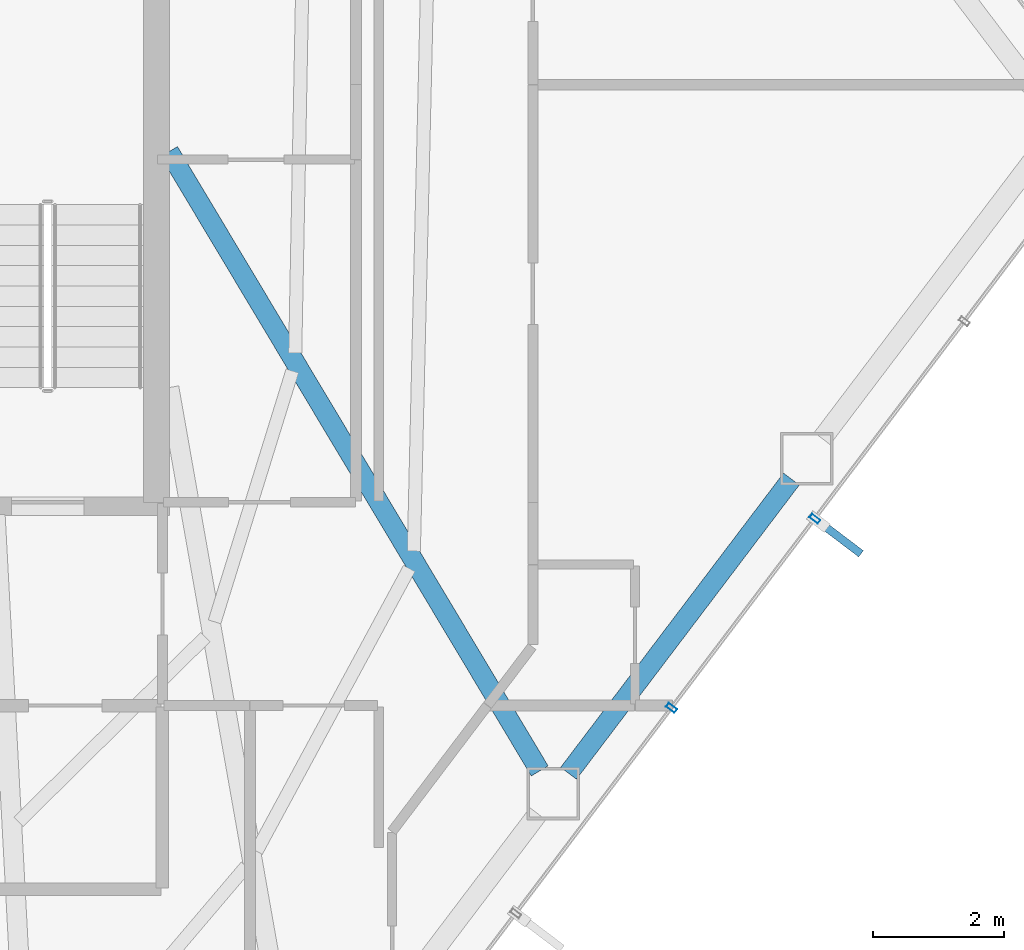
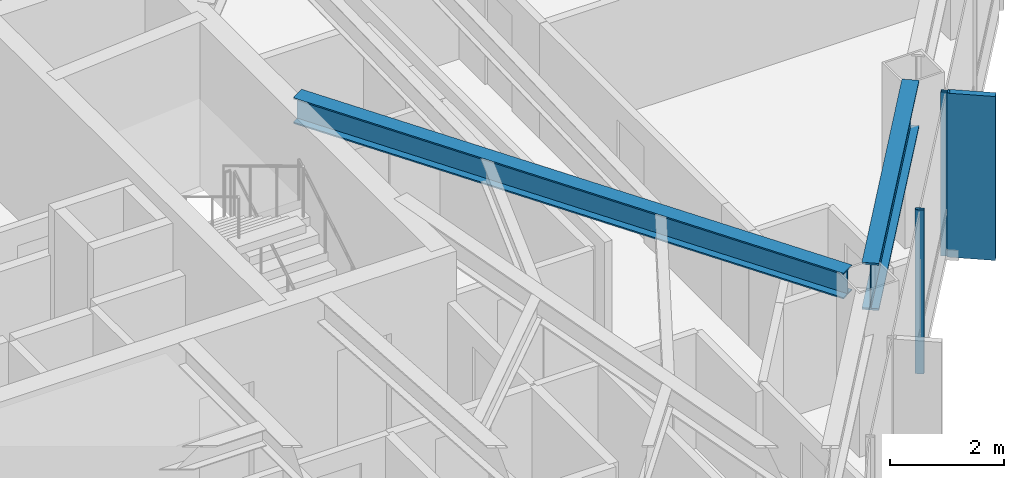
# One storey, part 19 of 29: 3 members, 2 beams, 1 element without a shape of its own.
"""IFC4 building model written with IfcOpenShell, lengths in metres."""

from ifc_helpers import new_model, si_unit, direction, frame, origin, origin_2d, place, context, subcontext, project, spatial, rectangle, hollow_rectangle, i_section, extrude, material, layer, layer_set, material_profile, profile_set, type_object, element, aggregate, save


model = new_model("IFC4")

# Units and contexts
model_context = context("Model", 3, precision=1e-05, world=origin(), true_north=direction((0.0, 1.0)))
body_context = subcontext(model_context, "Body", "Model", "MODEL_VIEW")
ifc_project = project(units=[si_unit("LENGTHUNIT", "METRE"), si_unit("AREAUNIT", "SQUARE_METRE"), si_unit("VOLUMEUNIT", "CUBIC_METRE"), si_unit("PLANEANGLEUNIT", "RADIAN"), si_unit("MASSUNIT", "GRAM", prefix="KILO")], contexts=[model_context])

# Site, building, storey
site_placement = place(None, origin())
site = spatial("IfcSite", under=ifc_project, at=site_placement, CompositionType="ELEMENT")
building_placement = place(site_placement, origin())
building = spatial("IfcBuilding", under=site, at=building_placement, Name="Zarrinselat Tower", CompositionType="ELEMENT")
storey_placement = place(building_placement, frame((0.0, 0.0, 134.639892578125)))
storey = spatial("IfcBuildingStorey", under=building, at=storey_placement, Name="L32", CompositionType="ELEMENT", Elevation=134.639892578125)

# Beams
ifc_material_1 = material(Name="Steel S355J2", Category="steel")
ifc_material_profile_1 = material_profile(ifc_material_1, i_section(OverallWidth=0.300048828125, OverallDepth=0.550048828125, WebThickness=0.014892578125, FlangeThickness=0.029052734375, at=origin_2d()), Name="HEB 550")
ifc_profile_set_1 = profile_set([ifc_material_profile_1], Name="Steel S355J2")
beam_type_1 = type_object("IfcBeamType", Name="BM-HEB550", PredefinedType="BEAM", material=ifc_profile_set_1)
beam_1_placement = place(storey_placement, frame((48.449951171875, 38.60009765625, 3.22509765625), z_axis=(0.513539974611, -0.858065670259, 0.0), x_axis=(0.858065670259, 0.513539974611, 0.0)))
element("IfcBeam", 1, at=beam_1_placement, inside=storey, type_object=beam_type_1, Name="L32 Radial Primary Girder RG13", PredefinedType="BEAM", context=body_context, shape_type="SweptSolid", body=[
    extrude(i_section(OverallWidth=0.300048828125, OverallDepth=0.550048828125, WebThickness=0.014892578125, FlangeThickness=0.029052734375, at=origin_2d()), origin(), (0.0, 0.0, 1.0), 11.010009765625),
])
ifc_material_2 = material(Name="Steel S460M", Category="steel")
ifc_material_profile_2 = material_profile(ifc_material_2, i_section(OverallWidth=0.302001953125, OverallDepth=1.008056640625, WebThickness=0.02099609375, FlangeThickness=0.0400390625, at=origin_2d()), Name="HEM 1000")
ifc_profile_set_2 = profile_set([ifc_material_profile_2], Name="Steel S460M")
beam_type_2 = type_object("IfcBeamType", Name="BM-HEM1000", PredefinedType="BEAM", material=ifc_profile_set_2)
beam_2_placement = place(storey_placement, frame((54.544677734375, 29.1171875, 2.99609375), z_axis=(0.603830134702, 0.797113021112, 0.0), x_axis=(-0.797113021112, 0.603830134702, 0.0)))
element("IfcBeam", 2, at=beam_2_placement, inside=storey, type_object=beam_type_2, Name="L32 Perimeter Spandrel Girder SP13", PredefinedType="BEAM", context=body_context, shape_type="SweptSolid", body=[
    extrude(i_section(OverallWidth=0.302001953125, OverallDepth=1.008056640625, WebThickness=0.02099609375, FlangeThickness=0.0400390625, at=origin_2d()), origin(), (0.0, 0.0, 1.0), 5.629638671875),
])

# Curtain wall, members
ifc_material_3 = material(Name="Extruded Aluminium Alloy EN AW-6063 T6", Category="aluminium")
ifc_layer = layer(ifc_material_3, 0.175048828125)
ifc_layer_set = layer_set([ifc_layer], Name="Extruded Aluminium Alloy EN AW-6063 T6")
curtain_wall_type = type_object("IfcCurtainWallType", Name="CWS-HTL", PredefinedType="NOTDEFINED", material=ifc_layer_set)
curtain_wall_placement = place(storey_placement, origin())
curtain_wall = element("IfcCurtainWall", 3, at=curtain_wall_placement, inside=storey, type_object=curtain_wall_type, Name="L32 Unitised Curtain Wall CW-L32-E05", PredefinedType="NOTDEFINED")
ifc_material_4 = material(Name="Extruded Aluminium Alloy EN AW-6063 T6", Category="aluminium")
ifc_material_profile_3 = material_profile(ifc_material_4, hollow_rectangle(XDim=0.070068359375, YDim=0.159912109375, WallThickness=0.00390625, at=origin_2d()), Name="RHS 160x70x4")
ifc_profile_set_3 = profile_set([ifc_material_profile_3], Name="Extruded Aluminium Alloy EN AW-6063 T6")
member_type_1 = type_object("IfcMemberType", Name="MEM-CW-MUL2", PredefinedType="MULLION", material=ifc_profile_set_3)
member_1_placement = place(storey_placement, frame((56.114990234375, 30.11376953125, 0.0), z_axis=(0.0, 0.0, 1.0), x_axis=(0.603855794642, 0.797093582509, 0.0)))
member_1 = element("IfcMember", 4, at=member_1_placement, type_object=member_type_1, Name="CW-L32-E05 Mullion 6", PredefinedType="MULLION", context=body_context, shape_type="SweptSolid", body=[
    extrude(hollow_rectangle(XDim=0.070068359375, YDim=0.159912109375, WallThickness=0.00390625, at=origin_2d()), origin(), (0.0, 0.0, 1.0), 3.5),
])
member_2_placement = place(storey_placement, frame((58.30078125, 32.998779296875, 0.0), z_axis=(0.0, 0.0, 1.0), x_axis=(0.603855794642, 0.797093582509, 0.0)))
member_2 = element("IfcMember", 5, at=member_2_placement, type_object=member_type_1, Name="CW-L32-E05 Mullion 7", PredefinedType="MULLION", context=body_context, shape_type="SweptSolid", body=[
    extrude(hollow_rectangle(XDim=0.070068359375, YDim=0.159912109375, WallThickness=0.00390625, at=origin_2d()), origin(), (0.0, 0.0, 1.0), 3.5),
])
ifc_material_5 = material(Name="Honed Cream Travertine Stone", Category="masonry")
ifc_material_profile_4 = material_profile(ifc_material_5, rectangle(XDim=0.1201171875, YDim=0.85009765625, at=origin_2d()), Name="FIN 850x120")
ifc_profile_set_4 = profile_set([ifc_material_profile_4], Name="Honed Cream Travertine Stone")
member_type_2 = type_object("IfcMemberType", Name="MEM-STONE-FIN", PredefinedType="USERDEFINED", material=ifc_profile_set_4)
member_3_placement = place(storey_placement, frame((58.66748046875, 32.72119140625, 0.0), z_axis=(0.0, 0.0, 1.0), x_axis=(-0.603855794642, -0.797093582509, 0.0)))
member_3 = element("IfcMember", 6, at=member_3_placement, type_object=member_type_2, Name="L32 Stone Shading Fin CW-L32-E05-07", ObjectType="FIN", PredefinedType="USERDEFINED", context=body_context, shape_type="SweptSolid", body=[
    extrude(rectangle(XDim=0.1201171875, YDim=0.85009765625, at=origin_2d()), origin(), (0.0, 0.0, 1.0), 3.5),
])
aggregate(curtain_wall, [member_1, member_2, member_3])

save(model, "model.ifc")
